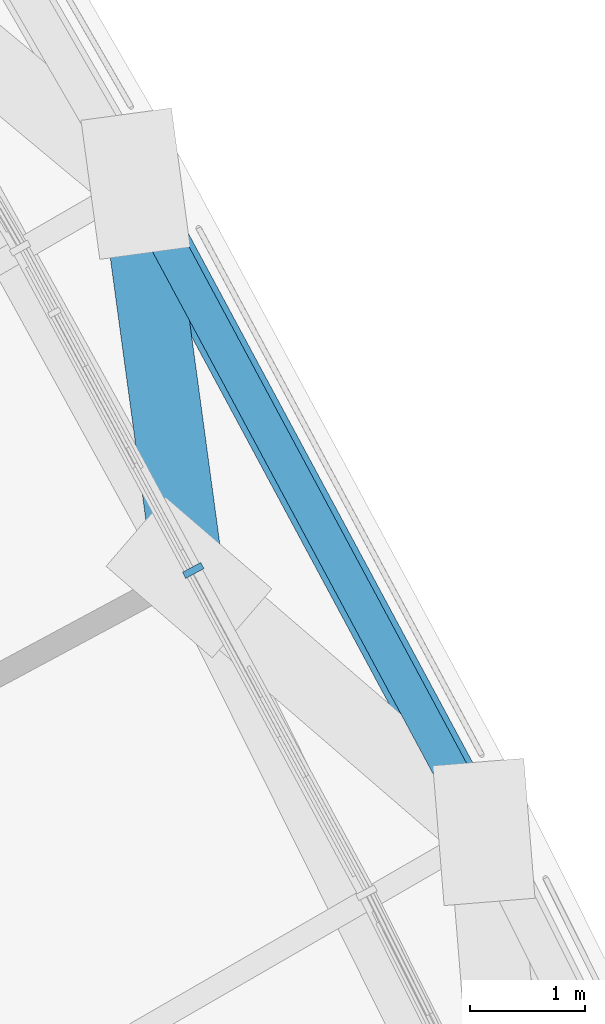
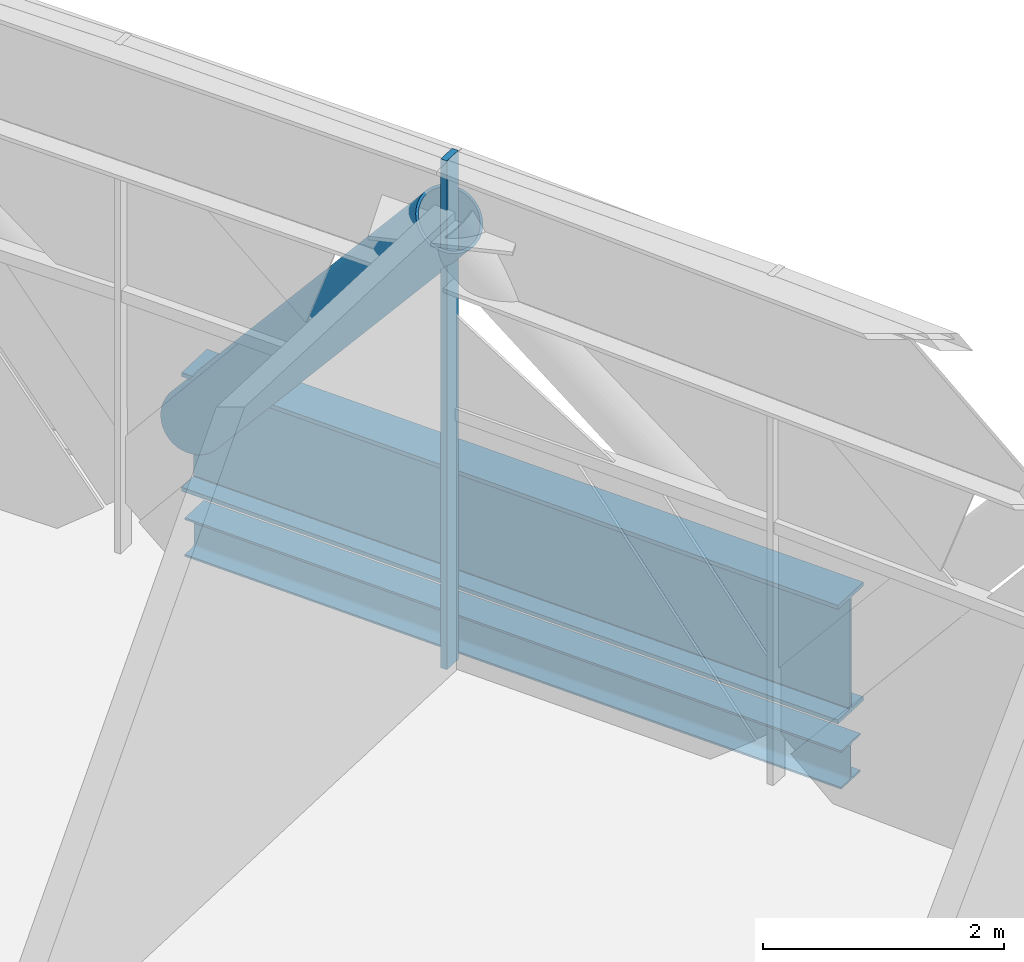
# One storey, part 7 of 35: 3 members, 1 beam, 1 element without a shape of its own.
"""IFC4 building model written with IfcOpenShell, lengths in metres."""

from ifc_helpers import new_model, si_unit, direction, frame, origin, origin_2d, place, context, subcontext, project, spatial, rectangle, hollow_circle, i_section, extrude, material, material_profile, profile_set, type_object, element, aggregate, save


model = new_model("IFC4")

# Units and contexts
model_context = context("Model", 3, precision=1e-05, world=origin(), true_north=direction((0.0, 1.0)))
body_context = subcontext(model_context, "Body", "Model", "MODEL_VIEW")
ifc_project = project(units=[si_unit("LENGTHUNIT", "METRE"), si_unit("AREAUNIT", "SQUARE_METRE"), si_unit("VOLUMEUNIT", "CUBIC_METRE"), si_unit("PLANEANGLEUNIT", "RADIAN"), si_unit("MASSUNIT", "GRAM", prefix="KILO")], contexts=[model_context])

# Site, building, storey
site_placement = place(None, origin())
site = spatial("IfcSite", under=ifc_project, at=site_placement, CompositionType="ELEMENT")
building_placement = place(site_placement, origin())
building = spatial("IfcBuilding", under=site, at=building_placement, Name="Mestral Congress Tower", CompositionType="ELEMENT")
storey_placement = place(building_placement, frame((0.0, 0.0, 196.199951171875)))
storey = spatial("IfcBuildingStorey", under=building, at=storey_placement, Name="L46", CompositionType="ELEMENT", Elevation=196.199951171875)

# Members
ifc_material_1 = material(Name="Steel S355", Category="steel")
ifc_material_profile_1 = material_profile(ifc_material_1, i_section(OverallWidth=0.39990234375, OverallDepth=1.199951171875, WebThickness=0.02001953125, FlangeThickness=0.0400390625, FilletRadius=0.010009765625, at=origin_2d()), Name="WPG 1200")
ifc_profile_set_1 = profile_set([ifc_material_profile_1], Name="Steel S355")
member_type_1 = type_object("IfcMemberType", Name="Belt chord WPG 1200 S355", PredefinedType="CHORD", material=ifc_profile_set_1)
member_1_placement = place(storey_placement, frame((22.476318359375, 1.8955078125, 0.60009765625), z_axis=(-0.473312507767, 0.880894585062, 0.0), x_axis=(-0.880894585062, -0.473312507767, 0.0)))
element("IfcMember", 1, at=member_1_placement, inside=storey, type_object=member_type_1, Name="MB-L46-BC3-E02", PredefinedType="CHORD", context=body_context, shape_type="SweptSolid", body=[
    extrude(i_section(OverallWidth=0.39990234375, OverallDepth=1.199951171875, WebThickness=0.02001953125, FlangeThickness=0.0400390625, FilletRadius=0.010009765625, at=origin_2d()), origin(), (0.0, 0.0, 1.0), 6.399658203125),
])
ifc_material_profile_2 = material_profile(ifc_material_1, hollow_circle(Radius=0.304931640625, WallThickness=0.02490234375, at=origin_2d()), Name="CHS 610x25")
ifc_profile_set_2 = profile_set([ifc_material_profile_2], Name="Steel S355")
member_type_2 = type_object("IfcMemberType", Name="Belt diagonal CHS 610x25 S355", PredefinedType="BRACE", material=ifc_profile_set_2)
member_2_placement = place(storey_placement, frame((19.447265625, 7.532958984375, 0.60009765625), z_axis=(0.088470811705, -0.652553636914, 0.752560074962), x_axis=(0.990934319662, 0.134347214769, 0.0)))
element("IfcMember", 2, at=member_2_placement, inside=storey, type_object=member_type_2, Name="MD-L46-BD3-E03.E02", PredefinedType="BRACE", context=body_context, shape_type="SweptSolid", body=[
    extrude(hollow_circle(Radius=0.304931640625, WallThickness=0.02490234375, at=origin_2d()), origin(), (0.0, 0.0, 1.0), 5.248779296875),
])

# Curtain wall, member
ifc_material_2 = material(Name="Clear low-emissivity double glazing", Category="glass")
curtain_wall_type = type_object("IfcCurtainWallType", Name="Facade refuge band screen", PredefinedType="USERDEFINED", material=ifc_material_2)
curtain_wall_placement = place(storey_placement, origin())
curtain_wall = element("IfcCurtainWall", 3, at=curtain_wall_placement, inside=storey, type_object=curtain_wall_type, Name="Facade refuge band screen face 2", ObjectType="CURTAIN WALL", PredefinedType="USERDEFINED")
ifc_material_3 = material(Name="Anodised aluminium", Category="aluminium")
ifc_material_profile_3 = material_profile(ifc_material_3, rectangle(XDim=0.179931640625, YDim=0.06005859375, at=origin_2d()), Name="CW3 mullion 180 x 60")
ifc_profile_set_3 = profile_set([ifc_material_profile_3], Name="Anodised aluminium")
member_type_3 = type_object("IfcMemberType", Name="Facade refuge band screen mullion", PredefinedType="MULLION", material=ifc_profile_set_3)
member_3_placement = place(storey_placement, frame((19.94873046875, 4.169921875, 0.0), z_axis=(0.0, 0.0, 1.0), x_axis=(0.880881650958, 0.473336578986, 0.0)))
member_3 = element("IfcMember", 4, at=member_3_placement, type_object=member_type_3, Name="Facade refuge band screen mullion", PredefinedType="MULLION", context=body_context, shape_type="SweptSolid", body=[
    extrude(rectangle(XDim=0.179931640625, YDim=0.06005859375, at=origin_2d()), origin(), (0.0, 0.0, 1.0), 5.150146484375),
])
aggregate(curtain_wall, [member_3])

# Beam
ifc_material_profile_4 = material_profile(ifc_material_1, i_section(OverallWidth=0.300048828125, OverallDepth=0.389892578125, WebThickness=0.010986328125, FlangeThickness=0.01904296875, FilletRadius=0.027099609375, at=origin_2d()), Name="HEA 400")
ifc_profile_set_4 = profile_set([ifc_material_profile_4], Name="Steel S355")
beam_type = type_object("IfcBeamType", Name="Spandrel beam HEA 400 S355", PredefinedType="BEAM", material=ifc_profile_set_4)
beam_placement = place(storey_placement, frame((22.476318359375, 1.8955078125, -0.494873046875), z_axis=(-0.473312507767, 0.880894585062, 0.0), x_axis=(-0.880894585062, -0.473312507767, 0.0)))
element("IfcBeam", 5, at=beam_placement, inside=storey, type_object=beam_type, Name="SP-L46-SB3-E02", PredefinedType="BEAM", context=body_context, shape_type="SweptSolid", body=[
    extrude(i_section(OverallWidth=0.300048828125, OverallDepth=0.389892578125, WebThickness=0.010986328125, FlangeThickness=0.01904296875, FilletRadius=0.027099609375, at=origin_2d()), origin(), (0.0, 0.0, 1.0), 6.399658203125),
])

save(model, "model.ifc")
